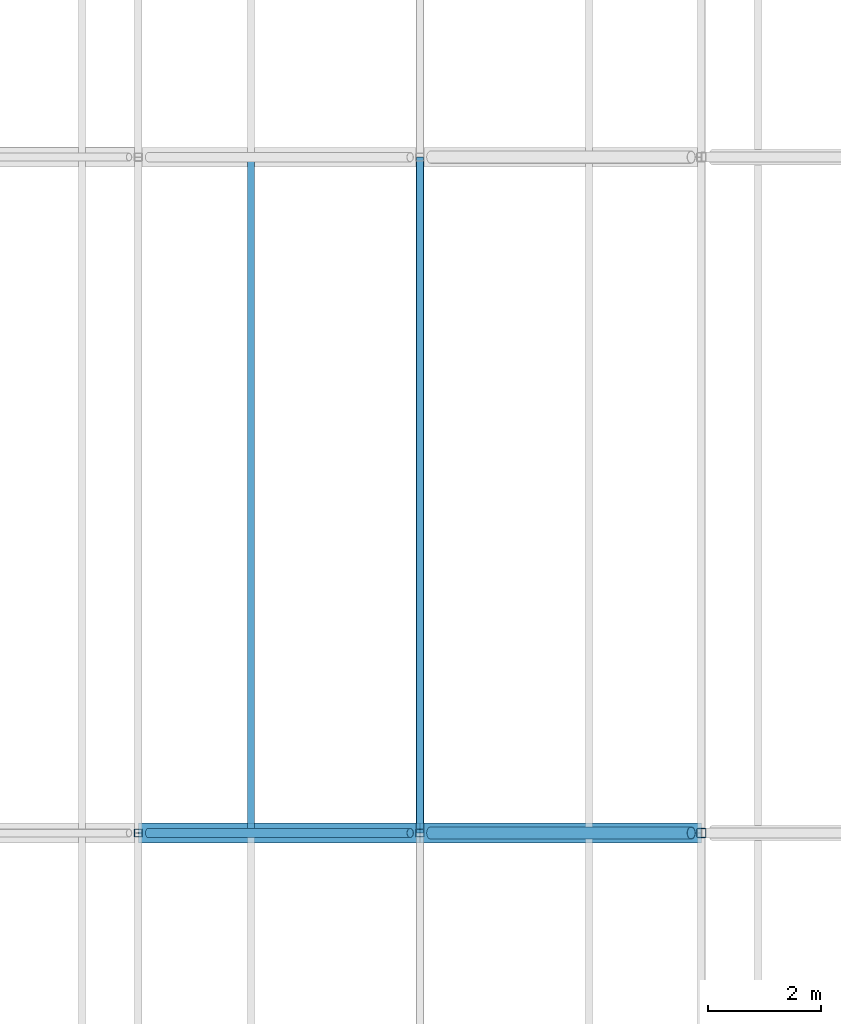
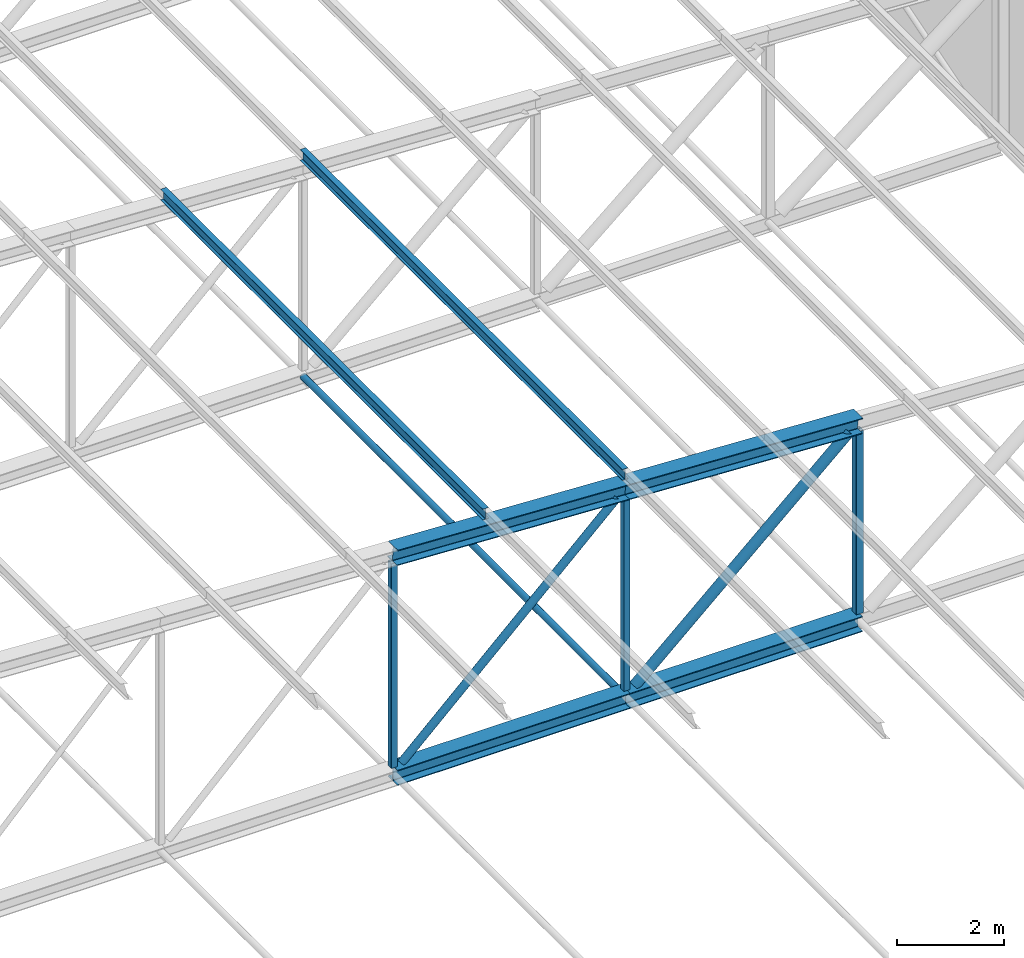
# One storey, part 42 of 156: 12 members.
"""IFC4 building model written with IfcOpenShell, lengths in metres."""

from ifc_helpers import new_model, si_unit, direction, frame, origin, origin_2d, place, context, subcontext, project, spatial, hollow_rectangle, hollow_circle, i_section, extrude, material, material_profile, profile_set, type_object, element, save


model = new_model("IFC4")

# Units and contexts
model_context = context("Model", 3, precision=1e-05, world=origin(), true_north=direction((0.0, 1.0)))
body_context = subcontext(model_context, "Body", "Model", "MODEL_VIEW")
ifc_project = project(units=[si_unit("LENGTHUNIT", "METRE"), si_unit("AREAUNIT", "SQUARE_METRE"), si_unit("VOLUMEUNIT", "CUBIC_METRE"), si_unit("PLANEANGLEUNIT", "RADIAN"), si_unit("MASSUNIT", "GRAM", prefix="KILO")], contexts=[model_context])

# Site, building, storey
site_placement = place(None, origin())
site = spatial("IfcSite", under=ifc_project, at=site_placement, CompositionType="ELEMENT")
building_placement = place(site_placement, origin())
building = spatial("IfcBuilding", under=site, at=building_placement, Name="Lilac Gate Convention Centre", CompositionType="ELEMENT")
storey_placement = place(building_placement, frame((0.0, 0.0, 17.0)))
storey = spatial("IfcBuildingStorey", under=building, at=storey_placement, Name="L03", CompositionType="ELEMENT", Elevation=17.0)

# Members
ifc_material = material(Name="Steel Q355B", Category="steel")
ifc_material_profile_1 = material_profile(ifc_material, hollow_circle(Radius=0.06982421875, WallThickness=0.0048828125, at=origin_2d()), Name="CHS139.7x5")
ifc_profile_set_1 = profile_set([ifc_material_profile_1], Name="Steel Q355B")
member_type_1 = type_object("IfcMemberType", Name="Bottom chord tie CHS139.7x5", PredefinedType="STRUT", material=ifc_profile_set_1)
member_1_placement = place(storey_placement, frame((75.0, 54.006103515625, 0.0), z_axis=(0.0, 1.0, 0.0), x_axis=(-1.0, 0.0, 0.0)))
element("IfcMember", 1, at=member_1_placement, inside=storey, type_object=member_type_1, Name="ST1 tie bay 3 node 10", PredefinedType="STRUT", context=body_context, shape_type="SweptSolid", body=[
    extrude(hollow_circle(Radius=0.06982421875, WallThickness=0.0048828125, at=origin_2d()), origin(), (0.0, 0.0, 1.0), 11.98779296875),
])
ifc_material_profile_2 = material_profile(ifc_material, i_section(OverallWidth=0.125, OverallDepth=0.25, WebThickness=0.006103515625, FlangeThickness=0.009033203125, FilletRadius=0.008056640625, at=origin_2d()), Name="HN250x125x6x9")
ifc_profile_set_2 = profile_set([ifc_material_profile_2], Name="Steel Q355B")
member_type_2 = type_object("IfcMemberType", Name="Roof purlin HN250x125x6x9", PredefinedType="PURLIN", material=ifc_profile_set_2)
for number, where, z_axis, x_axis, name in (
    (2, (72.0, 54.0, 5.2001953125), (0.0, 1.0, 0.0), (-1.0, 0.0, 0.0), "PU2 purlin bay 3 line 15"),
    (3, (75.0, 54.0, 5.05029296875), (0.0, 1.0, 0.0), (-1.0, 0.0, 0.0), "PU2 purlin bay 3 line 16"),
):
    element("IfcMember", number, at=place(storey_placement, frame(where, z_axis=z_axis, x_axis=x_axis)), inside=storey, type_object=member_type_2, Name=name, PredefinedType="PURLIN", context=body_context, shape_type="SweptSolid", body=[
        extrude(i_section(OverallWidth=0.125, OverallDepth=0.25, WebThickness=0.006103515625, FlangeThickness=0.009033203125, FilletRadius=0.008056640625, at=origin_2d()), origin(), (0.0, 0.0, 1.0), 12.0),
    ])
ifc_material_profile_3 = material_profile(ifc_material, i_section(OverallWidth=0.35009765625, OverallDepth=0.35009765625, WebThickness=0.011962890625, FlangeThickness=0.01904296875, FilletRadius=0.012939453125, at=origin_2d()), Name="HW350x350x12x19")
ifc_profile_set_3 = profile_set([ifc_material_profile_3], Name="Steel Q355B")
member_type_3 = type_object("IfcMemberType", Name="Truss bottom chord HW350x350x12x19", PredefinedType="CHORD", material=ifc_profile_set_3)
for number, where, z_axis, x_axis, name in (
    (4, (70.0, 54.0, 0.0), (1.0, 0.0, 0.0), (0.0, 1.0, 0.0), "TB2 truss 3 bottom chord 9"),
    (5, (75.0, 54.0, 0.0), (1.0, 0.0, 0.0), (0.0, 1.0, 0.0), "TB2 truss 3 bottom chord 10"),
):
    element("IfcMember", number, at=place(storey_placement, frame(where, z_axis=z_axis, x_axis=x_axis)), inside=storey, type_object=member_type_3, Name=name, PredefinedType="CHORD", context=body_context, shape_type="SweptSolid", body=[
        extrude(i_section(OverallWidth=0.35009765625, OverallDepth=0.35009765625, WebThickness=0.011962890625, FlangeThickness=0.01904296875, FilletRadius=0.012939453125, at=origin_2d()), origin(), (0.0, 0.0, 1.0), 5.0),
    ])
ifc_material_profile_4 = material_profile(ifc_material, hollow_circle(Radius=0.084228515625, WallThickness=0.006103515625, at=origin_2d()), Name="CHS168.3x6")
ifc_profile_set_4 = profile_set([ifc_material_profile_4], Name="Steel Q355B")
member_type_4 = type_object("IfcMemberType", Name="Truss diagonal CHS168.3x6", PredefinedType="BRACE", material=ifc_profile_set_4)
member_2_placement = place(storey_placement, frame((74.8271484375, 54.0, 4.585693359375), z_axis=(-0.725020373275, 0.0, -0.688727419475), x_axis=(0.0, -1.0, 0.0)))
element("IfcMember", 6, at=member_2_placement, inside=storey, type_object=member_type_4, Name="TW4 truss 3 diagonal 9", PredefinedType="BRACE", context=body_context, shape_type="SweptSolid", body=[
    extrude(hollow_circle(Radius=0.084228515625, WallThickness=0.006103515625, at=origin_2d()), origin(), (0.0, 0.0, 1.0), 6.404052734375),
])
ifc_material_profile_5 = material_profile(ifc_material, hollow_circle(Radius=0.109619140625, WallThickness=0.008056640625, at=origin_2d()), Name="CHS219.1x8")
ifc_profile_set_5 = profile_set([ifc_material_profile_5], Name="Steel Q355B")
member_type_5 = type_object("IfcMemberType", Name="Truss diagonal CHS219.1x8", PredefinedType="BRACE", material=ifc_profile_set_5)
member_3_placement = place(storey_placement, frame((79.8173828125, 54.0, 4.335693359375), z_axis=(-0.743301953498, 0.0, -0.668956056797), x_axis=(0.0, -1.0, 0.0)))
element("IfcMember", 7, at=member_3_placement, inside=storey, type_object=member_type_5, Name="TW3 truss 3 diagonal 10", PredefinedType="BRACE", context=body_context, shape_type="SweptSolid", body=[
    extrude(hollow_circle(Radius=0.109619140625, WallThickness=0.008056640625, at=origin_2d()), origin(), (0.0, 0.0, 1.0), 6.2197265625),
])
ifc_material_profile_6 = material_profile(ifc_material, i_section(OverallWidth=0.35009765625, OverallDepth=0.35009765625, WebThickness=0.011962890625, FlangeThickness=0.01904296875, FilletRadius=0.012939453125, at=origin_2d()), Name="HW350x350x12x19")
ifc_profile_set_6 = profile_set([ifc_material_profile_6], Name="Steel Q355B")
member_type_6 = type_object("IfcMemberType", Name="Truss top chord HW350x350x12x19", PredefinedType="CHORD", material=ifc_profile_set_6)
for number, where, z_axis, x_axis, name in (
    (8, (70.0, 54.0, 5.0), (0.998752338878, 0.0, -0.049937616944), (0.0, 1.0, 0.0), "TT2 truss 3 top chord 9"),
    (9, (75.0, 54.0, 4.75), (0.998752338878, 0.0, -0.049937616944), (0.0, 1.0, 0.0), "TT2 truss 3 top chord 10"),
):
    element("IfcMember", number, at=place(storey_placement, frame(where, z_axis=z_axis, x_axis=x_axis)), inside=storey, type_object=member_type_6, Name=name, PredefinedType="CHORD", context=body_context, shape_type="SweptSolid", body=[
        extrude(i_section(OverallWidth=0.35009765625, OverallDepth=0.35009765625, WebThickness=0.011962890625, FlangeThickness=0.01904296875, FilletRadius=0.012939453125, at=origin_2d()), origin(), (0.0, 0.0, 1.0), 5.00634765625),
    ])
ifc_material_profile_7 = material_profile(ifc_material, hollow_rectangle(XDim=0.139892578125, YDim=0.139892578125, WallThickness=0.0048828125, InnerFilletRadius=0.0048828125, OuterFilletRadius=0.010009765625, at=origin_2d()), Name="SHS140x140x5")
ifc_profile_set_7 = profile_set([ifc_material_profile_7], Name="Steel Q355B")
member_type_7 = type_object("IfcMemberType", Name="Truss vertical SHS140x140x5", PredefinedType="STRUT", material=ifc_profile_set_7)
member_4_placement = place(storey_placement, frame((70.0, 54.0, 0.175048828125), z_axis=(0.0, 0.0, 1.0), x_axis=(1.0, 0.0, 0.0)))
element("IfcMember", 10, at=member_4_placement, inside=storey, type_object=member_type_7, Name="TV4 truss 3 vertical 9", PredefinedType="STRUT", context=body_context, shape_type="SweptSolid", body=[
    extrude(hollow_rectangle(XDim=0.139892578125, YDim=0.139892578125, WallThickness=0.0048828125, InnerFilletRadius=0.0048828125, OuterFilletRadius=0.010009765625, at=origin_2d()), origin(), (0.0, 0.0, 1.0), 4.649658203125),
])
member_5_placement = place(storey_placement, frame((75.0, 54.0, 0.175048828125), z_axis=(0.0, 0.0, 1.0), x_axis=(1.0, 0.0, 0.0)))
element("IfcMember", 11, at=member_5_placement, inside=storey, type_object=member_type_7, Name="TV4 truss 3 vertical 10", PredefinedType="STRUT", context=body_context, shape_type="SweptSolid", body=[
    extrude(hollow_rectangle(XDim=0.139892578125, YDim=0.139892578125, WallThickness=0.0048828125, InnerFilletRadius=0.0048828125, OuterFilletRadius=0.010009765625, at=origin_2d()), origin(), (0.0, 0.0, 1.0), 4.399658203125),
])
ifc_material_profile_8 = material_profile(ifc_material, hollow_rectangle(XDim=0.159912109375, YDim=0.159912109375, WallThickness=0.006103515625, InnerFilletRadius=0.006103515625, OuterFilletRadius=0.011962890625, at=origin_2d()), Name="SHS160x160x6")
ifc_profile_set_8 = profile_set([ifc_material_profile_8], Name="Steel Q355B")
member_type_8 = type_object("IfcMemberType", Name="Truss vertical SHS160x160x6", PredefinedType="STRUT", material=ifc_profile_set_8)
member_6_placement = place(storey_placement, frame((80.0, 54.0, 0.175048828125), z_axis=(0.0, 0.0, 1.0), x_axis=(1.0, 0.0, 0.0)))
element("IfcMember", 12, at=member_6_placement, inside=storey, type_object=member_type_8, Name="TV3 truss 3 vertical 11", PredefinedType="STRUT", context=body_context, shape_type="SweptSolid", body=[
    extrude(hollow_rectangle(XDim=0.159912109375, YDim=0.159912109375, WallThickness=0.006103515625, InnerFilletRadius=0.006103515625, OuterFilletRadius=0.011962890625, at=origin_2d()), origin(), (0.0, 0.0, 1.0), 4.149658203125),
])

save(model, "model.ifc")
